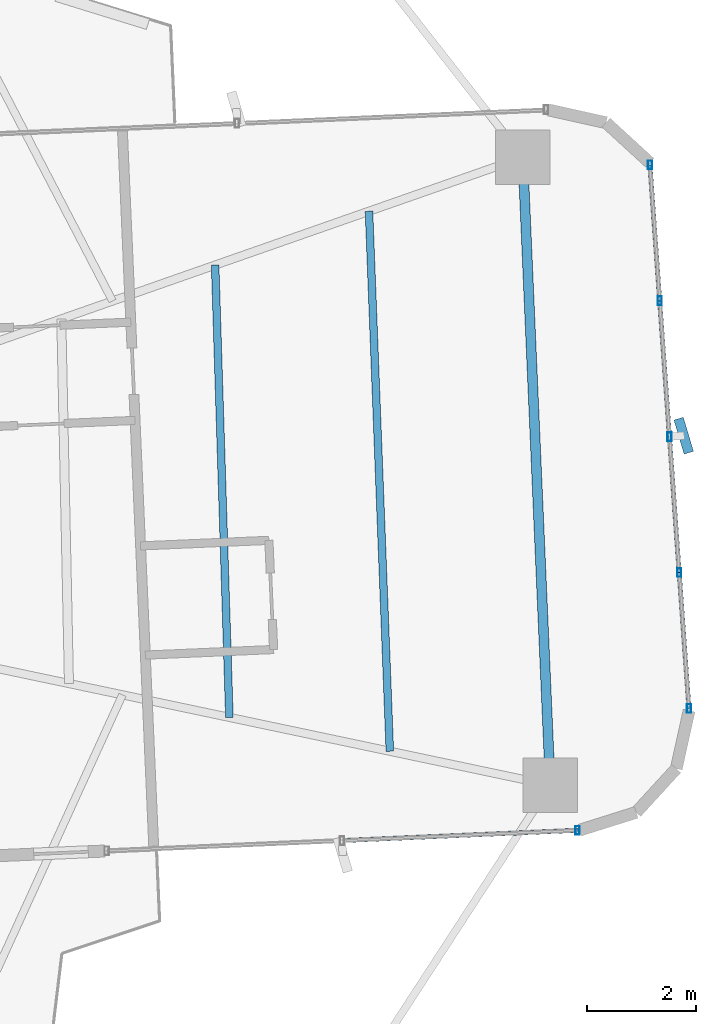
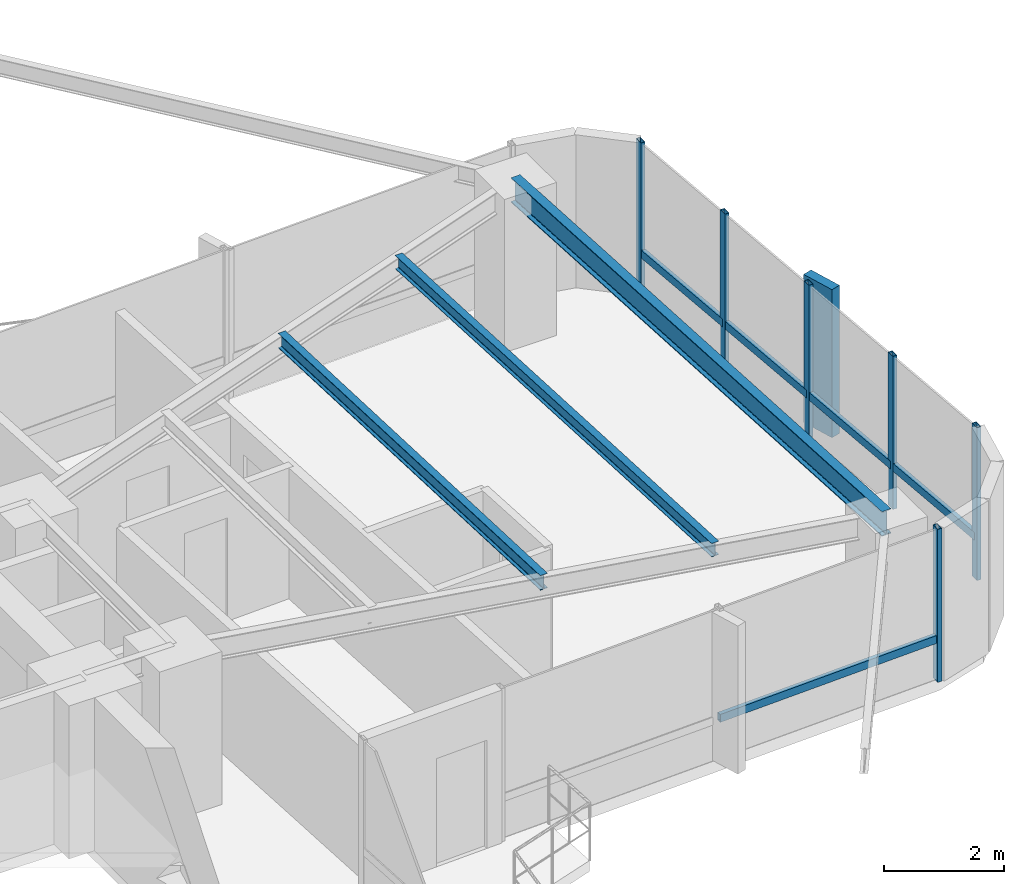
# One storey, part 15 of 26: 12 members, 3 beams, 2 elements without a shape of their own.
"""IFC4 building model written with IfcOpenShell, lengths in metres."""

from ifc_helpers import new_model, si_unit, direction, frame, origin, origin_2d, place, context, subcontext, project, spatial, rectangle, hollow_rectangle, i_section, extrude, source, transform, mapped, material, material_profile, profile_set, type_object, element, aggregate, save


model = new_model("IFC4")

# Units and contexts
model_context = context("Model", 3, precision=1e-05, world=origin(), true_north=direction((0.0, 1.0)))
body_context = subcontext(model_context, "Body", "Model", "MODEL_VIEW")
ifc_project = project(units=[si_unit("LENGTHUNIT", "METRE"), si_unit("AREAUNIT", "SQUARE_METRE"), si_unit("VOLUMEUNIT", "CUBIC_METRE"), si_unit("PLANEANGLEUNIT", "RADIAN"), si_unit("MASSUNIT", "GRAM", prefix="KILO")], contexts=[model_context])

# Site, building, storey
site_placement = place(None, origin())
site = spatial("IfcSite", under=ifc_project, at=site_placement, CompositionType="ELEMENT")
building_placement = place(site_placement, origin())
building = spatial("IfcBuilding", under=site, at=building_placement, Name="Sahyath Konkavel Grand Hotel", CompositionType="ELEMENT")
storey_placement = place(building_placement, frame((0.0, 0.0, 111.449951171875)))
storey = spatial("IfcBuildingStorey", under=building, at=storey_placement, Name="L30", CompositionType="ELEMENT", Elevation=111.449951171875)

# Beams
ifc_material_1 = material(Name="Steel E350", Category="steel")
ifc_material_profile_1 = material_profile(ifc_material_1, i_section(OverallWidth=0.179931640625, OverallDepth=0.5, WebThickness=0.01025390625, FlangeThickness=0.01708984375, FilletRadius=0.01708984375, at=origin_2d()), Name="ISMB 500")
ifc_profile_set_1 = profile_set([ifc_material_profile_1], Name="Steel E350")
beam_type_1 = type_object("IfcBeamType", Name="BM-ISMB500", PredefinedType="BEAM", material=ifc_profile_set_1)
shared_shape_1 = source(origin(), body_context, "Body", "SweptSolid", [
    extrude(i_section(OverallWidth=0.179931640625, OverallDepth=0.5, WebThickness=0.01025390625, FlangeThickness=0.01708984375, FilletRadius=0.01708984375, at=origin_2d()), origin(), (0.0, 0.0, 1.0), 11.5),
])
beam_1_placement = place(storey_placement, frame((17.734130859375, -4.981201171875, 2.860107421875), z_axis=(-0.043627008892, 0.99904788879, 0.0), x_axis=(-0.99904788879, -0.043627008892, 0.0)))
element("IfcBeam", 1, at=beam_1_placement, inside=storey, type_object=beam_type_1, Name="L30 Wing Tip Edge Beam E", PredefinedType="BEAM", context=body_context, shape_type="MappedRepresentation", body=[
    mapped(shared_shape_1, transform((0.0, 0.0, 0.0), scale=1.0)),
])
ifc_material_profile_2 = material_profile(ifc_material_1, i_section(OverallWidth=0.139892578125, OverallDepth=0.300048828125, WebThickness=0.0078125, FlangeThickness=0.01318359375, FilletRadius=0.013916015625, at=origin_2d()), Name="ISMB 300")
ifc_profile_set_2 = profile_set([ifc_material_profile_2], Name="Steel E350")
beam_type_2 = type_object("IfcBeamType", Name="BM-ISMB300", PredefinedType="BEAM", material=ifc_profile_set_2)
shared_shape_2 = source(origin(), body_context, "Body", "SweptSolid", [
    extrude(i_section(OverallWidth=0.139892578125, OverallDepth=0.300048828125, WebThickness=0.0078125, FlangeThickness=0.01318359375, FilletRadius=0.013916015625, at=origin_2d()), origin(), (0.0, 0.0, 1.0), 8.282470703125),
])
beam_2_placement = place(storey_placement, frame((11.86181640625, -3.7421875, 2.9599609375), z_axis=(-0.031510827707, 0.999503410568, 0.0), x_axis=(-0.999503410568, -0.031510827707, 0.0)))
element("IfcBeam", 2, at=beam_2_placement, inside=storey, type_object=beam_type_2, Name="L30 Secondary Floor Beam E-2", PredefinedType="BEAM", context=body_context, shape_type="MappedRepresentation", body=[
    mapped(shared_shape_2, transform((0.0, 0.0, 0.0), scale=1.0)),
])
ifc_material_profile_3 = material_profile(ifc_material_1, i_section(OverallWidth=0.139892578125, OverallDepth=0.27490234375, WebThickness=0.00634765625, FlangeThickness=0.0087890625, FilletRadius=0.012939453125, at=origin_2d()), Name="ISLB 275")
ifc_profile_set_3 = profile_set([ifc_material_profile_3], Name="Steel E350")
beam_type_3 = type_object("IfcBeamType", Name="BM-ISLB275", PredefinedType="BEAM", material=ifc_profile_set_3)
shared_shape_3 = source(origin(), body_context, "Body", "SweptSolid", [
    extrude(i_section(OverallWidth=0.139892578125, OverallDepth=0.27490234375, WebThickness=0.00634765625, FlangeThickness=0.0087890625, FilletRadius=0.012939453125, at=origin_2d()), origin(), (0.0, 0.0, 1.0), 9.89111328125),
])
beam_3_placement = place(storey_placement, frame((14.798095703125, -4.36181640625, 2.97265625), z_axis=(-0.03855445741, 0.999256500511, 0.0), x_axis=(-0.999256500511, -0.03855445741, 0.0)))
element("IfcBeam", 3, at=beam_3_placement, inside=storey, type_object=beam_type_3, Name="L30 Secondary Floor Beam E-3", PredefinedType="BEAM", context=body_context, shape_type="MappedRepresentation", body=[
    mapped(shared_shape_3, transform((0.0, 0.0, 0.0), scale=1.0)),
])

# Curtain wall, member
ifc_material_2 = material(Name="Anodised Bronze Aluminium & Low-E Glazing", Category="aluminium")
curtain_wall_type = type_object("IfcCurtainWallType", Name="CW-ZONE2", PredefinedType="NOTDEFINED", material=ifc_material_2)
curtain_wall_1_placement = place(storey_placement, origin())
curtain_wall_1 = element("IfcCurtainWall", 4, at=curtain_wall_1_placement, inside=storey, type_object=curtain_wall_type, Name="L30 Unitised Curtain Wall F4", PredefinedType="NOTDEFINED")
ifc_material_3 = material(Name="Warm Buff Sandstone Cladding on Concrete C50/60", Category="masonry")
ifc_material_profile_4 = material_profile(ifc_material_3, rectangle(XDim=0.179931640625, YDim=0.64990234375, at=origin_2d()), Name="FIN 180x650")
ifc_profile_set_4 = profile_set([ifc_material_profile_4], Name="Warm Buff Sandstone Cladding on Concrete C50/60")
member_type_1 = type_object("IfcMemberType", Name="FIN-SANDSTONE-650", PredefinedType="MULLION", material=ifc_profile_set_4)
shared_shape_4 = source(origin(), body_context, "Body", "SweptSolid", [
    extrude(rectangle(XDim=0.179931640625, YDim=0.64990234375, at=origin_2d()), origin(), (0.0, 0.0, 1.0), 3.010009765625),
])
member_1_placement = place(storey_placement, frame((20.1767578125, 1.413818359375, 0.050048828125), z_axis=(0.0, 0.0, 1.0), x_axis=(0.958172857028, 0.286190104747, 0.0)))
member_1 = element("IfcMember", 5, at=member_1_placement, type_object=member_type_1, Name="L30 Sandstone Vertical Solar Fin FIN F4-2", PredefinedType="MULLION", context=body_context, shape_type="MappedRepresentation", body=[
    mapped(shared_shape_4, transform((0.0, 0.0, 0.0), scale=1.0)),
])

curtain_wall_2_placement = place(storey_placement, origin())
curtain_wall_2 = element("IfcCurtainWall", 6, at=curtain_wall_2_placement, inside=storey, type_object=curtain_wall_type, Name="L30 Unitised Curtain Wall F0", PredefinedType="NOTDEFINED")
ifc_material_4 = material(Name="Anodised Bronze Aluminium", Category="aluminium")
ifc_material_profile_5 = material_profile(ifc_material_4, hollow_rectangle(XDim=0.080078125, YDim=0.159912109375, WallThickness=0.006103515625, at=origin_2d()), Name="RHS 160x80x6")
ifc_profile_set_5 = profile_set([ifc_material_profile_5], Name="Anodised Bronze Aluminium")
member_type_2 = type_object("IfcMemberType", Name="CW-MUL-160", PredefinedType="MULLION", material=ifc_profile_set_5)
shared_shape_5 = source(origin(), body_context, "Body", "SweptSolid", [
    extrude(hollow_rectangle(XDim=0.080078125, YDim=0.159912109375, WallThickness=0.006103515625, at=origin_2d()), origin(), (0.0, 0.0, 1.0), 3.110107421875),
])
member_2_placement = place(storey_placement, frame((18.230712890625, -5.810302734375, 0.0), z_axis=(0.0, 0.0, 1.0), x_axis=(1.0, 0.0, 0.0)))
member_2 = element("IfcMember", 7, at=member_2_placement, type_object=member_type_2, Name="L30 Curtain Wall Mullion F0-2", PredefinedType="MULLION", context=body_context, shape_type="MappedRepresentation", body=[
    mapped(shared_shape_5, transform((0.0, 0.0, 0.0), scale=1.0)),
])

# Member
member_3_placement = place(storey_placement, frame((20.2744140625, -3.5791015625, 0.0), z_axis=(0.0, 0.0, 1.0), x_axis=(1.0, 0.0, 0.0)))
member_3 = element("IfcMember", 8, at=member_3_placement, type_object=member_type_2, Name="L30 Curtain Wall Mullion F4-0", PredefinedType="MULLION", context=body_context, shape_type="MappedRepresentation", body=[
    mapped(shared_shape_5, transform((0.0, 0.0, 0.0), scale=1.0)),
])

member_4_placement = place(storey_placement, frame((20.095947265625, -1.092041015625, 0.0), z_axis=(0.0, 0.0, 1.0), x_axis=(1.0, 0.0, 0.0)))
member_4 = element("IfcMember", 9, at=member_4_placement, type_object=member_type_2, Name="L30 Curtain Wall Mullion F4-1", PredefinedType="MULLION", context=body_context, shape_type="MappedRepresentation", body=[
    mapped(shared_shape_5, transform((0.0, 0.0, 0.0), scale=1.0)),
])

member_5_placement = place(storey_placement, frame((19.91748046875, 1.39501953125, 0.0), z_axis=(0.0, 0.0, 1.0), x_axis=(1.0, 0.0, 0.0)))
member_5 = element("IfcMember", 10, at=member_5_placement, type_object=member_type_2, Name="L30 Curtain Wall Mullion F4-2", PredefinedType="MULLION", context=body_context, shape_type="MappedRepresentation", body=[
    mapped(shared_shape_5, transform((0.0, 0.0, 0.0), scale=1.0)),
])

member_6_placement = place(storey_placement, frame((19.739013671875, 3.882080078125, 0.0), z_axis=(0.0, 0.0, 1.0), x_axis=(1.0, 0.0, 0.0)))
member_6 = element("IfcMember", 11, at=member_6_placement, type_object=member_type_2, Name="L30 Curtain Wall Mullion F4-3", PredefinedType="MULLION", context=body_context, shape_type="MappedRepresentation", body=[
    mapped(shared_shape_5, transform((0.0, 0.0, 0.0), scale=1.0)),
])

member_7_placement = place(storey_placement, frame((19.560546875, 6.369384765625, 0.0), z_axis=(0.0, 0.0, 1.0), x_axis=(1.0, 0.0, 0.0)))
member_7 = element("IfcMember", 12, at=member_7_placement, type_object=member_type_2, Name="L30 Curtain Wall Mullion F4-4", PredefinedType="MULLION", context=body_context, shape_type="MappedRepresentation", body=[
    mapped(shared_shape_5, transform((0.0, 0.0, 0.0), scale=1.0)),
])

ifc_material_profile_6 = material_profile(ifc_material_4, hollow_rectangle(XDim=0.080078125, YDim=0.159912109375, WallThickness=0.006103515625, at=origin_2d()), Name="RHS 160x80x6")
ifc_profile_set_6 = profile_set([ifc_material_profile_6], Name="Anodised Bronze Aluminium")
member_type_3 = type_object("IfcMemberType", Name="CW-TRN-160", PredefinedType="USERDEFINED", material=ifc_profile_set_6)
shared_shape_6 = source(origin(), body_context, "Body", "SweptSolid", [
    extrude(hollow_rectangle(XDim=0.080078125, YDim=0.159912109375, WallThickness=0.006103515625, at=origin_2d()), origin(), (0.0, 0.0, 1.0), 4.31005859375),
])
member_8_placement = place(storey_placement, frame((13.9248046875, -5.998291015625, 0.85009765625), z_axis=(0.999048340188, 0.043616670746, 0.0), x_axis=(-0.043616670746, 0.999048340188, 0.0)))
member_8 = element("IfcMember", 13, at=member_8_placement, type_object=member_type_3, Name="L30 Curtain Wall Transom F0-1-spandrel", ObjectType="TRANSOM", PredefinedType="USERDEFINED", context=body_context, shape_type="MappedRepresentation", body=[
    mapped(shared_shape_6, transform((0.0, 0.0, 0.0), scale=1.0)),
])

aggregate(curtain_wall_2, [member_2, member_8])

shared_shape_7 = source(origin(), body_context, "Body", "SweptSolid", [
    extrude(hollow_rectangle(XDim=0.080078125, YDim=0.159912109375, WallThickness=0.006103515625, at=origin_2d()), origin(), (0.0, 0.0, 1.0), 2.493408203125),
])
member_9_placement = place(storey_placement, frame((20.2744140625, -3.5791015625, 0.85009765625), z_axis=(-0.071574084062, 0.997435286367, 0.0), x_axis=(-0.997435286367, -0.071574084062, 0.0)))
member_9 = element("IfcMember", 14, at=member_9_placement, type_object=member_type_3, Name="L30 Curtain Wall Transom F4-0-spandrel", ObjectType="TRANSOM", PredefinedType="USERDEFINED", context=body_context, shape_type="MappedRepresentation", body=[
    mapped(shared_shape_7, transform((0.0, 0.0, 0.0), scale=1.0)),
])

member_10_placement = place(storey_placement, frame((20.095947265625, -1.092041015625, 0.85009765625), z_axis=(-0.071574084062, 0.997435286367, 0.0), x_axis=(-0.997435286367, -0.071574084062, 0.0)))
member_10 = element("IfcMember", 15, at=member_10_placement, type_object=member_type_3, Name="L30 Curtain Wall Transom F4-1-spandrel", ObjectType="TRANSOM", PredefinedType="USERDEFINED", context=body_context, shape_type="MappedRepresentation", body=[
    mapped(shared_shape_7, transform((0.0, 0.0, 0.0), scale=1.0)),
])

member_11_placement = place(storey_placement, frame((19.91748046875, 1.39501953125, 0.85009765625), z_axis=(-0.071574084062, 0.997435286367, 0.0), x_axis=(-0.997435286367, -0.071574084062, 0.0)))
member_11 = element("IfcMember", 16, at=member_11_placement, type_object=member_type_3, Name="L30 Curtain Wall Transom F4-2-spandrel", ObjectType="TRANSOM", PredefinedType="USERDEFINED", context=body_context, shape_type="MappedRepresentation", body=[
    mapped(shared_shape_7, transform((0.0, 0.0, 0.0), scale=1.0)),
])

shared_shape_8 = source(origin(), body_context, "Body", "SweptSolid", [
    extrude(hollow_rectangle(XDim=0.080078125, YDim=0.159912109375, WallThickness=0.006103515625, at=origin_2d()), origin(), (0.0, 0.0, 1.0), 2.49365234375),
])
member_12_placement = place(storey_placement, frame((19.739013671875, 3.882080078125, 0.85009765625), z_axis=(-0.071567094714, 0.997435787885, 0.0), x_axis=(-0.997435787885, -0.071567094714, 0.0)))
member_12 = element("IfcMember", 17, at=member_12_placement, type_object=member_type_3, Name="L30 Curtain Wall Transom F4-3-spandrel", ObjectType="TRANSOM", PredefinedType="USERDEFINED", context=body_context, shape_type="MappedRepresentation", body=[
    mapped(shared_shape_8, transform((0.0, 0.0, 0.0), scale=1.0)),
])

aggregate(curtain_wall_1, [member_3, member_4, member_5, member_1, member_6, member_7, member_9, member_10, member_11, member_12])

save(model, "model.ifc")
